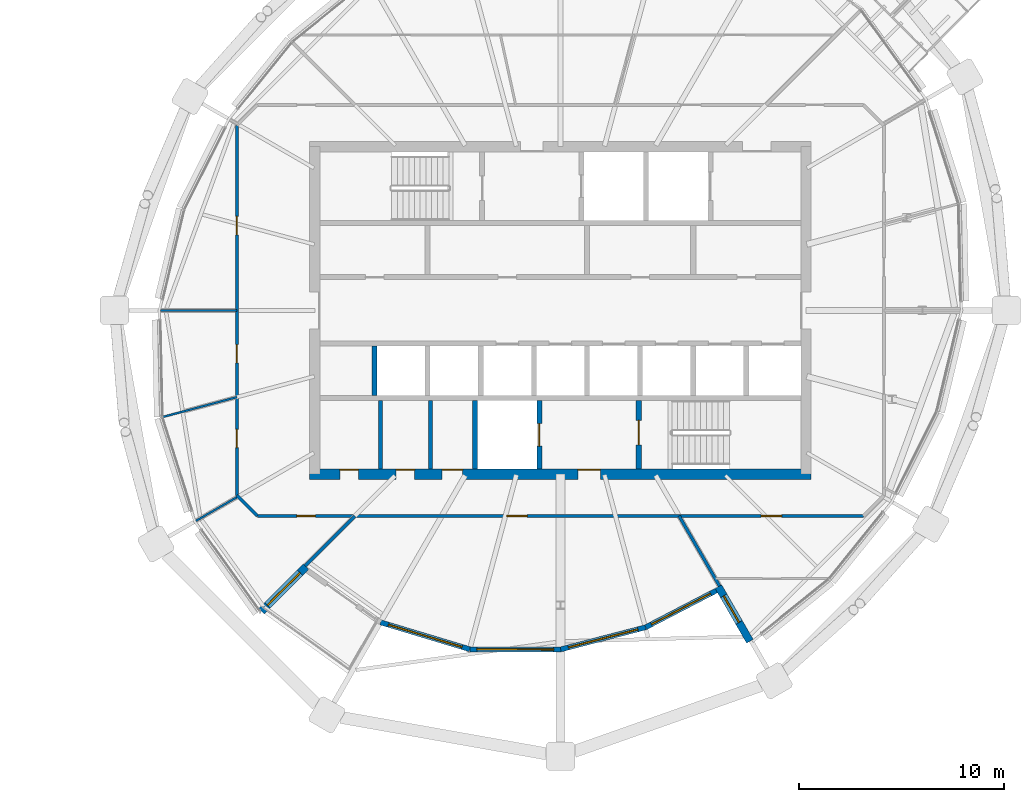
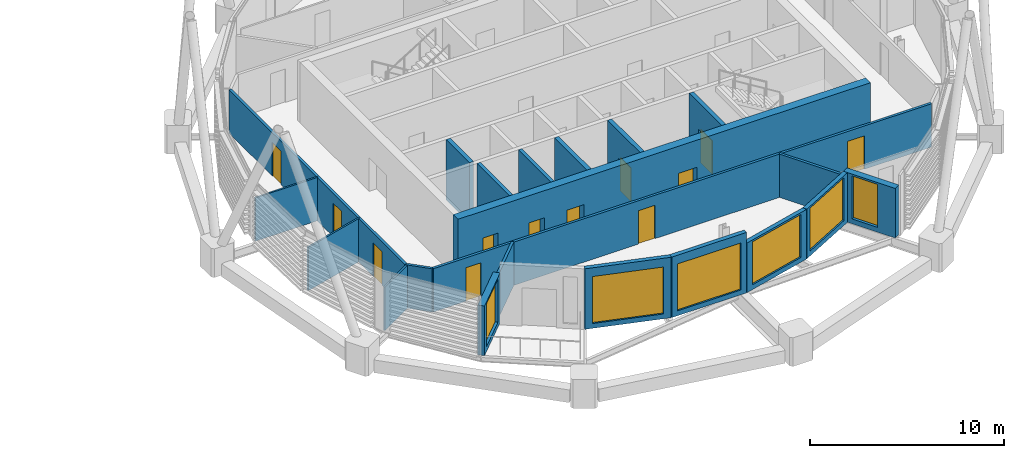
# One storey, part 24 of 34: 21 walls, 12 doors, 6 windows, 18 openings.
"""IFC4 building model written with IfcOpenShell, lengths in metres."""

from ifc_helpers import new_model, si_unit, direction, frame, frame_2d, origin, place, context, subcontext, project, spatial, rectangle, extrude, material, layer, layer_set, type_object, element, fill, save


model = new_model("IFC4")

# Units and contexts
model_context = context("Model", 3, precision=1e-05, world=origin(), true_north=direction((0.0, 1.0)))
body_context = subcontext(model_context, "Body", "Model", "MODEL_VIEW")
ifc_project = project(units=[si_unit("LENGTHUNIT", "METRE"), si_unit("AREAUNIT", "SQUARE_METRE"), si_unit("VOLUMEUNIT", "CUBIC_METRE"), si_unit("PLANEANGLEUNIT", "RADIAN"), si_unit("MASSUNIT", "GRAM", prefix="KILO")], contexts=[model_context])

# Site, building, storey
site_placement = place(None, origin())
site = spatial("IfcSite", under=ifc_project, at=site_placement, CompositionType="ELEMENT")
building_placement = place(site_placement, origin())
building = spatial("IfcBuilding", under=site, at=building_placement, Name="Rimbun Link Towers", CompositionType="ELEMENT")
storey_placement = place(building_placement, frame((0.0, 0.0, 221.89990234375)))
storey = spatial("IfcBuildingStorey", under=building, at=storey_placement, Name="L54", CompositionType="ELEMENT", Elevation=221.89990234375)

# Wall, opening, window
ifc_material_1 = material(Name="Dark enamelled glass spandrel on insulated aluminium backpan", Category="aluminium")
ifc_layer_1 = layer(ifc_material_1, 0.25)
ifc_layer_set_1 = layer_set([ifc_layer_1], Name="CS dark enamelled spandrel wall 250")
wall_type_1 = type_object("IfcWallType", Name="CS dark enamelled spandrel wall 250", PredefinedType="STANDARD", material=ifc_layer_set_1)
wall_1_placement = place(storey_placement, frame((27.328125, -16.558349609375, 0.0), z_axis=(0.0, 0.0, 1.0), x_axis=(-0.957446917434, 0.28860942517, 0.0)))
wall_1 = element("IfcWall", 1, at=wall_1_placement, inside=storey, type_object=wall_type_1, Name="Crease spandrel wall", PredefinedType="STANDARD", context=body_context, shape_type="SweptSolid", body=[
    extrude(rectangle(XDim=4.56201171875, YDim=0.25, at=frame_2d((2.281005859375, 0.0))), origin(), (0.0, 0.0, 1.0), 3.800048828125),
])
opening_1_placement = place(wall_1_placement, frame((0.406005859375, 0.0, 0.300048828125)))
opening_1 = element("IfcOpeningElement", 2, at=opening_1_placement, cuts=wall_1, Name="Opening WR38H295", PredefinedType="OPENING", context=body_context, shape_type="SweptSolid", body=[
    extrude(rectangle(XDim=3.75, YDim=2.949951171875, at=frame_2d((1.875, 1.47509765625))), frame((0.0, 0.135009765625, 0.0), z_axis=(0.0, -1.0, 0.0), x_axis=(1.0, 0.0, 0.0)), (0.0, 0.0, 1.0), 0.27001953125),
])
ifc_material_2 = material(Name="Aluminium framed fixed window, dark tinted low-e glass", Category="aluminium")
window_type_1 = type_object("IfcWindowType", Name="WR ribbon window 3750X2950", PartitioningType="SINGLE_PANEL", PredefinedType="WINDOW", material=ifc_material_2)
window_1_placement = place(opening_1_placement, origin())
window_1 = element("IfcWindow", 3, at=window_1_placement, inside=storey, type_object=window_type_1, Name="Crease ribbon window", OverallHeight=2.949951171875, OverallWidth=3.75, PartitioningType="SINGLE_PANEL", PredefinedType="WINDOW", context=body_context, shape_type="SweptSolid", body=[
    extrude(rectangle(XDim=3.75, YDim=2.949951171875, at=frame_2d((1.875, 1.47509765625))), frame((0.0, 0.030029296875, 0.0), z_axis=(0.0, -1.0, 0.0), x_axis=(1.0, 0.0, 0.0)), (0.0, 0.0, 1.0), 0.06005859375),
])
fill(opening_1, window_1)

wall_2_placement = place(storey_placement, frame((31.765869140625, -16.562255859375, 0.0), z_axis=(0.0, 0.0, 1.0), x_axis=(-0.999999612595, 0.000880232921, 0.0)))
wall_2 = element("IfcWall", 4, at=wall_2_placement, inside=storey, type_object=wall_type_1, Name="Crease spandrel wall", PredefinedType="STANDARD", context=body_context, shape_type="SweptSolid", body=[
    extrude(rectangle(XDim=4.437744140625, YDim=0.25, at=frame_2d((2.21875, 0.0))), origin(), (0.0, 0.0, 1.0), 3.800048828125),
])
opening_2_placement = place(wall_2_placement, frame((0.34375, 0.0, 0.300048828125)))
opening_2 = element("IfcOpeningElement", 5, at=opening_2_placement, cuts=wall_2, Name="Opening WR38H295", PredefinedType="OPENING", context=body_context, shape_type="SweptSolid", body=[
    extrude(rectangle(XDim=3.75, YDim=2.949951171875, at=frame_2d((1.875, 1.47509765625))), frame((0.0, 0.135009765625, 0.0), z_axis=(0.0, -1.0, 0.0), x_axis=(1.0, 0.0, 0.0)), (0.0, 0.0, 1.0), 0.27001953125),
])
window_2_placement = place(opening_2_placement, origin())
window_2 = element("IfcWindow", 6, at=window_2_placement, inside=storey, type_object=window_type_1, Name="Crease ribbon window", OverallHeight=2.949951171875, OverallWidth=3.75, PartitioningType="SINGLE_PANEL", PredefinedType="WINDOW", context=body_context, shape_type="SweptSolid", body=[
    extrude(rectangle(XDim=3.75, YDim=2.949951171875, at=frame_2d((1.875, 1.47509765625))), frame((0.0, 0.030029296875, 0.0), z_axis=(0.0, -1.0, 0.0), x_axis=(1.0, 0.0, 0.0)), (0.0, 0.0, 1.0), 0.06005859375),
])
fill(opening_2, window_2)

wall_3_placement = place(storey_placement, frame((35.91259765625, -15.483642578125, 0.0), z_axis=(0.0, 0.0, 1.0), x_axis=(-0.967796135933, -0.251735256317, 0.0)))
wall_3 = element("IfcWall", 7, at=wall_3_placement, inside=storey, type_object=wall_type_1, Name="Crease spandrel wall", PredefinedType="STANDARD", context=body_context, shape_type="SweptSolid", body=[
    extrude(rectangle(XDim=4.28466796875, YDim=0.25, at=frame_2d((2.142333984375, 0.0))), origin(), (0.0, 0.0, 1.0), 3.1171875),
])
opening_3_placement = place(wall_3_placement, frame((0.392333984375, 0.0, 0.300048828125)))
opening_3 = element("IfcOpeningElement", 8, at=opening_3_placement, cuts=wall_3, Name="Opening WR35H270", PredefinedType="OPENING", context=body_context, shape_type="SweptSolid", body=[
    extrude(rectangle(XDim=3.5, YDim=2.699951171875, at=frame_2d((1.75, 1.35009765625))), frame((0.0, 0.135009765625, 0.0), z_axis=(0.0, -1.0, 0.0), x_axis=(1.0, 0.0, 0.0)), (0.0, 0.0, 1.0), 0.27001953125),
])
ifc_material_3 = material(Name="Aluminium framed fixed window, dark tinted low-e glass", Category="aluminium")
window_type_2 = type_object("IfcWindowType", Name="WR ribbon window 3500X2700", PartitioningType="SINGLE_PANEL", PredefinedType="WINDOW", material=ifc_material_3)
window_3_placement = place(opening_3_placement, origin())
window_3 = element("IfcWindow", 9, at=window_3_placement, inside=storey, type_object=window_type_2, Name="Crease ribbon window", OverallHeight=2.699951171875, OverallWidth=3.5, PartitioningType="SINGLE_PANEL", PredefinedType="WINDOW", context=body_context, shape_type="SweptSolid", body=[
    extrude(rectangle(XDim=3.5, YDim=2.699951171875, at=frame_2d((1.75, 1.35009765625))), frame((0.0, 0.030029296875, 0.0), z_axis=(0.0, -1.0, 0.0), x_axis=(1.0, 0.0, 0.0)), (0.0, 0.0, 1.0), 0.06005859375),
])
fill(opening_3, window_3)

wall_4_placement = place(storey_placement, frame((39.3642578125, -13.688232421875, 0.0), z_axis=(0.0, 0.0, 1.0), x_axis=(-0.887159260346, -0.461463375342, 0.0)))
wall_4 = element("IfcWall", 10, at=wall_4_placement, inside=storey, type_object=wall_type_1, Name="Crease spandrel wall", PredefinedType="STANDARD", context=body_context, shape_type="SweptSolid", body=[
    extrude(rectangle(XDim=3.890625, YDim=0.25, at=frame_2d((1.9453125, 0.0))), origin(), (0.0, 0.0, 1.0), 3.1171875),
])
opening_4_placement = place(wall_4_placement, frame((0.3203125, 0.0, 0.300048828125)))
opening_4 = element("IfcOpeningElement", 11, at=opening_4_placement, cuts=wall_4, Name="Opening WR32H270", PredefinedType="OPENING", context=body_context, shape_type="SweptSolid", body=[
    extrude(rectangle(XDim=3.25, YDim=2.699951171875, at=frame_2d((1.625, 1.35009765625))), frame((0.0, 0.135009765625, 0.0), z_axis=(0.0, -1.0, 0.0), x_axis=(1.0, 0.0, 0.0)), (0.0, 0.0, 1.0), 0.27001953125),
])
ifc_material_4 = material(Name="Aluminium framed fixed window, dark tinted low-e glass", Category="aluminium")
window_type_3 = type_object("IfcWindowType", Name="WR ribbon window 3250X2700", PartitioningType="SINGLE_PANEL", PredefinedType="WINDOW", material=ifc_material_4)
window_4_placement = place(opening_4_placement, origin())
window_4 = element("IfcWindow", 12, at=window_4_placement, inside=storey, type_object=window_type_3, Name="Crease ribbon window", OverallHeight=2.699951171875, OverallWidth=3.25, PartitioningType="SINGLE_PANEL", PredefinedType="WINDOW", context=body_context, shape_type="SweptSolid", body=[
    extrude(rectangle(XDim=3.25, YDim=2.699951171875, at=frame_2d((1.625, 1.35009765625))), frame((0.0, 0.030029296875, 0.0), z_axis=(0.0, -1.0, 0.0), x_axis=(1.0, 0.0, 0.0)), (0.0, 0.0, 1.0), 0.06005859375),
])
fill(opening_4, window_4)

ifc_material_5 = material(Name="Dark enamelled glass spandrel on insulated aluminium backpan", Category="aluminium")
ifc_layer_2 = layer(ifc_material_5, 0.3701171875)
ifc_layer_set_2 = layer_set([ifc_layer_2], Name="CS dark enamelled spandrel wall 370")
wall_type_2 = type_object("IfcWallType", Name="CS dark enamelled spandrel wall 370", PredefinedType="STANDARD", material=ifc_layer_set_2)
wall_5_placement = place(storey_placement, frame((19.320556640625, -12.521240234375, 0.0), z_axis=(0.0, 0.0, 1.0), x_axis=(-0.707067146267, -0.707146413884, 0.0)))
wall_5 = element("IfcWall", 13, at=wall_5_placement, inside=storey, type_object=wall_type_2, Name="Crease spandrel wall", PredefinedType="STANDARD", context=body_context, shape_type="SweptSolid", body=[
    extrude(rectangle(XDim=3.079833984375, YDim=0.3701171875, at=frame_2d((1.5400390625, 0.0))), origin(), (0.0, 0.0, 1.0), 3.1171875),
])
opening_5_placement = place(wall_5_placement, frame((0.4150390625, 0.0, 0.300048828125)))
opening_5 = element("IfcOpeningElement", 14, at=opening_5_placement, cuts=wall_5, Name="Opening WR22H270", PredefinedType="OPENING", context=body_context, shape_type="SweptSolid", body=[
    extrude(rectangle(XDim=2.25, YDim=2.699951171875, at=frame_2d((1.125, 1.35009765625))), frame((0.0, 0.195068359375, 0.0), z_axis=(0.0, -1.0, 0.0), x_axis=(1.0, 0.0, 0.0)), (0.0, 0.0, 1.0), 0.39013671875),
])
ifc_material_6 = material(Name="Aluminium framed fixed window, dark tinted low-e glass", Category="aluminium")
window_type_4 = type_object("IfcWindowType", Name="WR ribbon window 2250X2700", PartitioningType="SINGLE_PANEL", PredefinedType="WINDOW", material=ifc_material_6)
window_5_placement = place(opening_5_placement, origin())
window_5 = element("IfcWindow", 15, at=window_5_placement, inside=storey, type_object=window_type_4, Name="Crease ribbon window", OverallHeight=2.699951171875, OverallWidth=2.25, PartitioningType="SINGLE_PANEL", PredefinedType="WINDOW", context=body_context, shape_type="SweptSolid", body=[
    extrude(rectangle(XDim=2.25, YDim=2.699951171875, at=frame_2d((1.125, 1.35009765625))), frame((0.0, 0.030029296875, 0.0), z_axis=(0.0, -1.0, 0.0), x_axis=(1.0, 0.0, 0.0)), (0.0, 0.0, 1.0), 0.06005859375),
])
fill(opening_5, window_5)

wall_6_placement = place(storey_placement, frame((41.00732421875, -16.164306640625, 0.0), z_axis=(0.0, 0.0, 1.0), x_axis=(-0.499932877268, 0.866064153644, 0.0)))
wall_6 = element("IfcWall", 16, at=wall_6_placement, inside=storey, type_object=wall_type_2, Name="Crease spandrel wall", PredefinedType="STANDARD", context=body_context, shape_type="SweptSolid", body=[
    extrude(rectangle(XDim=3.080078125, YDim=0.3701171875, at=frame_2d((1.5400390625, 0.0))), origin(), (0.0, 0.0, 1.0), 3.1171875),
])
opening_6_placement = place(wall_6_placement, frame((1.062255859375, 0.0, 0.300048828125)))
opening_6 = element("IfcOpeningElement", 17, at=opening_6_placement, cuts=wall_6, Name="Opening WR15H270", PredefinedType="OPENING", context=body_context, shape_type="SweptSolid", body=[
    extrude(rectangle(XDim=1.5, YDim=2.699951171875, at=frame_2d((0.75, 1.35009765625))), frame((0.0, 0.195068359375, 0.0), z_axis=(0.0, -1.0, 0.0), x_axis=(1.0, 0.0, 0.0)), (0.0, 0.0, 1.0), 0.39013671875),
])
ifc_material_7 = material(Name="Aluminium framed fixed window, dark tinted low-e glass", Category="aluminium")
window_type_5 = type_object("IfcWindowType", Name="WR ribbon window 1500X2700", PartitioningType="SINGLE_PANEL", PredefinedType="WINDOW", material=ifc_material_7)
window_6_placement = place(opening_6_placement, origin())
window_6 = element("IfcWindow", 18, at=window_6_placement, inside=storey, type_object=window_type_5, Name="Crease ribbon window", OverallHeight=2.699951171875, OverallWidth=1.5, PartitioningType="SINGLE_PANEL", PredefinedType="WINDOW", context=body_context, shape_type="SweptSolid", body=[
    extrude(rectangle(XDim=1.5, YDim=2.699951171875, at=frame_2d((0.75, 1.35009765625))), frame((0.0, 0.030029296875, 0.0), z_axis=(0.0, -1.0, 0.0), x_axis=(1.0, 0.0, 0.0)), (0.0, 0.0, 1.0), 0.06005859375),
])
fill(opening_6, window_6)

# Walls
ifc_material_8 = material(Name="Masonry blockwork", Category="masonry")
ifc_layer_3 = layer(ifc_material_8, 0.199951171875)
ifc_layer_set_3 = layer_set([ifc_layer_3], Name="Core partition 200")
wall_type_3 = type_object("IfcWallType", Name="Core partition 200", PredefinedType="PARTITIONING", material=ifc_layer_set_3)
for number, where, z_axis, x_axis, name in (
    (19, (22.949951171875, -4.39990234375, 0.0), (0.0, 0.0, 1.0), (0.0, -1.0, 0.0), "L54 T2 core wall C1"),
    (20, (25.39990234375, -4.39990234375, 0.0), (0.0, 0.0, 1.0), (0.0, -1.0, 0.0), "L54 T2 core wall C2"),
):
    element("IfcWall", number, at=place(storey_placement, frame(where, z_axis=z_axis, x_axis=x_axis)), inside=storey, type_object=wall_type_3, Name=name, PredefinedType="PARTITIONING", context=body_context, shape_type="SweptSolid", body=[
        extrude(rectangle(XDim=3.35009765625, YDim=0.199951171875, at=frame_2d((1.675048828125, 0.0))), origin(), (0.0, 0.0, 1.0), 3.800048828125),
    ])

# Wall, openings, doors
ifc_material_9 = material(Name="Concrete C60/75", Category="concrete")
ifc_layer_4 = layer(ifc_material_9, 0.5)
ifc_layer_set_4 = layer_set([ifc_layer_4], Name="Core shear wall 500")
wall_type_4 = type_object("IfcWallType", Name="Core shear wall 500", PredefinedType="SHEAR", material=ifc_layer_set_4)
wall_7_placement = place(storey_placement, frame((19.5, -8.0, 0.0), z_axis=(0.0, 0.0, 1.0), x_axis=(1.0, 0.0, 0.0)))
wall_7 = element("IfcWall", 21, at=wall_7_placement, inside=storey, type_object=wall_type_4, Name="L54 T2 core wall S", PredefinedType="SHEAR", context=body_context, shape_type="SweptSolid", body=[
    extrude(rectangle(XDim=24.5, YDim=0.5, at=frame_2d((12.25, 0.0))), origin(), (0.0, 0.0, 1.0), 3.800048828125),
])
opening_7_placement = place(wall_7_placement, frame((13.10009765625, 0.0, 0.0)))
opening_7 = element("IfcOpeningElement", 22, at=opening_7_placement, cuts=wall_7, Name="Opening C2DCF01S", PredefinedType="OPENING", context=body_context, shape_type="SweptSolid", body=[
    extrude(rectangle(XDim=1.10009765625, YDim=2.10009765625, at=frame_2d((0.550048828125, 1.050048828125))), frame((0.0, 0.260009765625, 0.0), z_axis=(0.0, -1.0, 0.0), x_axis=(1.0, 0.0, 0.0)), (0.0, 0.0, 1.0), 0.52001953125),
])
opening_8_placement = place(wall_7_placement, frame((1.47509765625, 0.0, 0.0)))
opening_8 = element("IfcOpeningElement", 23, at=opening_8_placement, cuts=wall_7, Name="Opening C2DWC02S", PredefinedType="OPENING", context=body_context, shape_type="SweptSolid", body=[
    extrude(rectangle(XDim=0.89990234375, YDim=2.10009765625, at=frame_2d((0.449951171875, 1.050048828125))), frame((0.0, 0.260009765625, 0.0), z_axis=(0.0, -1.0, 0.0), x_axis=(1.0, 0.0, 0.0)), (0.0, 0.0, 1.0), 0.52001953125),
])
opening_9_placement = place(wall_7_placement, frame((4.22509765625, 0.0, 0.0)))
opening_9 = element("IfcOpeningElement", 24, at=opening_9_placement, cuts=wall_7, Name="Opening C2DWC03S", PredefinedType="OPENING", context=body_context, shape_type="SweptSolid", body=[
    extrude(rectangle(XDim=0.89990234375, YDim=2.10009765625, at=frame_2d((0.449951171875, 1.050048828125))), frame((0.0, 0.260009765625, 0.0), z_axis=(0.0, -1.0, 0.0), x_axis=(1.0, 0.0, 0.0)), (0.0, 0.0, 1.0), 0.52001953125),
])
opening_10_placement = place(wall_7_placement, frame((6.47509765625, 0.0, 0.0)))
opening_10 = element("IfcOpeningElement", 25, at=opening_10_placement, cuts=wall_7, Name="Opening C2DAW04S", PredefinedType="OPENING", context=body_context, shape_type="SweptSolid", body=[
    extrude(rectangle(XDim=1.0, YDim=2.10009765625, at=frame_2d((0.5, 1.050048828125))), frame((0.0, 0.260009765625, 0.0), z_axis=(0.0, -1.0, 0.0), x_axis=(1.0, 0.0, 0.0)), (0.0, 0.0, 1.0), 0.52001953125),
])
ifc_material_10 = material(Name="Timber", Category="wood")
door_type_1 = type_object("IfcDoorType", Name="Accessible WC door", OperationType="SINGLE_SWING_LEFT", PredefinedType="DOOR", material=ifc_material_10)
door_1_placement = place(opening_10_placement, origin())
door_1 = element("IfcDoor", 26, at=door_1_placement, inside=storey, type_object=door_type_1, Name="L54 T2 accessible wc door", OperationType="SINGLE_SWING_RIGHT", OverallHeight=2.10009765625, OverallWidth=1.0, PredefinedType="DOOR", context=body_context, shape_type="SweptSolid", body=[
    extrude(rectangle(XDim=1.0, YDim=2.10009765625, at=frame_2d((0.5, 1.050048828125))), frame((0.0, 0.25, 0.0), z_axis=(0.0, -1.0, 0.0), x_axis=(1.0, 0.0, 0.0)), (0.0, 0.0, 1.0), 0.050048828125),
])
fill(opening_10, door_1)
ifc_material_11 = material(Name="Steel fire door set", Category="steel")
door_type_2 = type_object("IfcDoorType", Name="Core fire door single", OperationType="SINGLE_SWING_LEFT", PredefinedType="DOOR", material=ifc_material_11)
door_2_placement = place(opening_7_placement, origin())
door_2 = element("IfcDoor", 27, at=door_2_placement, inside=storey, type_object=door_type_2, Name="L54 T2 firefighting lobby s door", OperationType="SINGLE_SWING_RIGHT", OverallHeight=2.10009765625, OverallWidth=1.10009765625, PredefinedType="DOOR", context=body_context, shape_type="SweptSolid", body=[
    extrude(rectangle(XDim=1.10009765625, YDim=2.10009765625, at=frame_2d((0.550048828125, 1.050048828125))), frame((0.0, 0.25, 0.0), z_axis=(0.0, -1.0, 0.0), x_axis=(1.0, 0.0, 0.0)), (0.0, 0.0, 1.0), 0.050048828125),
])
fill(opening_7, door_2)
ifc_material_12 = material(Name="Timber", Category="wood")
door_type_3 = type_object("IfcDoorType", Name="WC door", OperationType="SINGLE_SWING_LEFT", PredefinedType="DOOR", material=ifc_material_12)
door_3_placement = place(opening_8_placement, origin())
door_3 = element("IfcDoor", 28, at=door_3_placement, inside=storey, type_object=door_type_3, Name="L54 T2 male wc door", OperationType="SINGLE_SWING_LEFT", OverallHeight=2.10009765625, OverallWidth=0.89990234375, PredefinedType="DOOR", context=body_context, shape_type="SweptSolid", body=[
    extrude(rectangle(XDim=0.89990234375, YDim=2.10009765625, at=frame_2d((0.449951171875, 1.050048828125))), frame((0.0, 0.25, 0.0), z_axis=(0.0, -1.0, 0.0), x_axis=(1.0, 0.0, 0.0)), (0.0, 0.0, 1.0), 0.050048828125),
])
fill(opening_8, door_3)
door_4_placement = place(opening_9_placement, origin())
door_4 = element("IfcDoor", 29, at=door_4_placement, inside=storey, type_object=door_type_3, Name="L54 T2 female wc door", OperationType="SINGLE_SWING_RIGHT", OverallHeight=2.10009765625, OverallWidth=0.89990234375, PredefinedType="DOOR", context=body_context, shape_type="SweptSolid", body=[
    extrude(rectangle(XDim=0.89990234375, YDim=2.10009765625, at=frame_2d((0.449951171875, 1.050048828125))), frame((0.0, 0.25, 0.0), z_axis=(0.0, -1.0, 0.0), x_axis=(1.0, 0.0, 0.0)), (0.0, 0.0, 1.0), 0.050048828125),
])
fill(opening_9, door_4)

ifc_material_13 = material(Name="Plasterboard on steel stud, mineral wool", Category="steel")
ifc_layer_5 = layer(ifc_material_13, 0.14990234375)
ifc_layer_set_5 = layer_set([ifc_layer_5], Name="Corridor wall EI 30 150 mm")
wall_type_5 = type_object("IfcWallType", Name="Corridor wall EI 30 150 mm", PredefinedType="PARTITIONING", material=ifc_layer_set_5)
wall_8_placement = place(storey_placement, frame((46.5537109375, -10.044921875, 0.0), z_axis=(0.0, 0.0, 1.0), x_axis=(-1.0, 0.0, 0.0)))
wall_8 = element("IfcWall", 30, at=wall_8_placement, inside=storey, type_object=wall_type_5, Name="Corridor wall EI 30 150 mm", PredefinedType="PARTITIONING", context=body_context, shape_type="SweptSolid", body=[
    extrude(rectangle(XDim=29.607421875, YDim=0.14990234375, at=frame_2d((14.8037109375, 0.0))), origin(), (0.0, 0.0, 1.0), 2.72216796875),
])
opening_11_placement = place(wall_8_placement, frame((4.002197265625, 0.0, 0.0)))
opening_11 = element("IfcOpeningElement", 31, at=opening_11_placement, cuts=wall_8, Name="Opening D01", PredefinedType="OPENING", context=body_context, shape_type="SweptSolid", body=[
    extrude(rectangle(XDim=1.0, YDim=2.10009765625, at=frame_2d((0.5, 1.050048828125))), frame((0.0, 0.0849609375, 0.0), z_axis=(0.0, -1.0, 0.0), x_axis=(1.0, 0.0, 0.0)), (0.0, 0.0, 1.0), 0.169921875),
])
opening_12_placement = place(wall_8_placement, frame((26.778076171875, 0.0, 0.0)))
opening_12 = element("IfcOpeningElement", 32, at=opening_12_placement, cuts=wall_8, Name="Opening D02", PredefinedType="OPENING", context=body_context, shape_type="SweptSolid", body=[
    extrude(rectangle(XDim=0.89990234375, YDim=2.10009765625, at=frame_2d((0.449951171875, 1.050048828125))), frame((0.0, 0.0849609375, 0.0), z_axis=(0.0, -1.0, 0.0), x_axis=(1.0, 0.0, 0.0)), (0.0, 0.0, 1.0), 0.169921875),
])
opening_13_placement = place(wall_8_placement, frame((16.426513671875, 0.0, 0.0)))
opening_13 = element("IfcOpeningElement", 33, at=opening_13_placement, cuts=wall_8, Name="Opening D01", PredefinedType="OPENING", context=body_context, shape_type="SweptSolid", body=[
    extrude(rectangle(XDim=1.0, YDim=2.10009765625, at=frame_2d((0.5, 1.050048828125))), frame((0.0, 0.0849609375, 0.0), z_axis=(0.0, -1.0, 0.0), x_axis=(1.0, 0.0, 0.0)), (0.0, 0.0, 1.0), 0.169921875),
])
ifc_material_14 = material(Name="Fire-resisting timber door leaf", Category="wood")
door_type_4 = type_object("IfcDoorType", Name="Fire door FD30S 1000", OperationType="NOTDEFINED", PredefinedType="DOOR", material=ifc_material_14)
door_5_placement = place(opening_11_placement, origin())
door_5 = element("IfcDoor", 34, at=door_5_placement, inside=storey, type_object=door_type_4, Name="Fire door FD30S 1000 to Reception", OperationType="SINGLE_SWING_LEFT", OverallHeight=2.10009765625, OverallWidth=1.0, PredefinedType="DOOR", context=body_context, shape_type="SweptSolid", body=[
    extrude(rectangle(XDim=1.0, YDim=2.10009765625, at=frame_2d((0.5, 1.050048828125))), frame((0.0, 0.02490234375, 0.0), z_axis=(0.0, -1.0, 0.0), x_axis=(1.0, 0.0, 0.0)), (0.0, 0.0, 1.0), 0.050048828125),
])
fill(opening_11, door_5)
door_6_placement = place(opening_13_placement, origin())
door_6 = element("IfcDoor", 35, at=door_6_placement, inside=storey, type_object=door_type_4, Name="Fire door FD30S 1000 to Terrace office", OperationType="SINGLE_SWING_LEFT", OverallHeight=2.10009765625, OverallWidth=1.0, PredefinedType="DOOR", context=body_context, shape_type="SweptSolid", body=[
    extrude(rectangle(XDim=1.0, YDim=2.10009765625, at=frame_2d((0.5, 1.050048828125))), frame((0.0, 0.02490234375, 0.0), z_axis=(0.0, -1.0, 0.0), x_axis=(1.0, 0.0, 0.0)), (0.0, 0.0, 1.0), 0.050048828125),
])
fill(opening_13, door_6)
ifc_material_15 = material(Name="Fire-resisting timber door leaf", Category="wood")
door_type_5 = type_object("IfcDoorType", Name="Fire door FD30S 900", OperationType="NOTDEFINED", PredefinedType="DOOR", material=ifc_material_15)
door_7_placement = place(opening_12_placement, origin())
door_7 = element("IfcDoor", 36, at=door_7_placement, inside=storey, type_object=door_type_5, Name="Fire door FD30S 900 to Meeting room", OperationType="SINGLE_SWING_RIGHT", OverallHeight=2.10009765625, OverallWidth=0.89990234375, PredefinedType="DOOR", context=body_context, shape_type="SweptSolid", body=[
    extrude(rectangle(XDim=0.89990234375, YDim=2.10009765625, at=frame_2d((0.449951171875, 1.050048828125))), frame((0.0, 0.02490234375, 0.0), z_axis=(0.0, -1.0, 0.0), x_axis=(1.0, 0.0, 0.0)), (0.0, 0.0, 1.0), 0.050048828125),
])
fill(opening_12, door_7)

# Wall
wall_9_placement = place(storey_placement, frame((15.945068359375, -9.043701171875, 0.0), z_axis=(0.0, 0.0, 1.0), x_axis=(0.707106781187, -0.707106781187, 0.0)))
element("IfcWall", 37, at=wall_9_placement, inside=storey, type_object=wall_type_5, Name="Corridor wall EI 30 150 mm", PredefinedType="PARTITIONING", context=body_context, shape_type="SweptSolid", body=[
    extrude(rectangle(XDim=1.416015625, YDim=0.14990234375, at=frame_2d((0.7080078125, 0.0))), origin(), (0.0, 0.0, 1.0), 2.72216796875),
])

# Wall, openings, doors
wall_10_placement = place(storey_placement, frame((15.945068359375, -9.043701171875, 0.0), z_axis=(0.0, 0.0, 1.0), x_axis=(0.0, 1.0, 0.0)))
wall_10 = element("IfcWall", 38, at=wall_10_placement, inside=storey, type_object=wall_type_5, Name="Corridor wall EI 30 150 mm", PredefinedType="PARTITIONING", context=body_context, shape_type="SweptSolid", body=[
    extrude(rectangle(XDim=18.08740234375, YDim=0.14990234375, at=frame_2d((9.043701171875, 0.0))), origin(), (0.0, 0.0, 1.0), 2.72216796875),
])
opening_14_placement = place(wall_10_placement, frame((12.733642578125, 0.0, 0.0)))
opening_14 = element("IfcOpeningElement", 39, at=opening_14_placement, cuts=wall_10, Name="Opening D02", PredefinedType="OPENING", context=body_context, shape_type="SweptSolid", body=[
    extrude(rectangle(XDim=0.89990234375, YDim=2.10009765625, at=frame_2d((0.449951171875, 1.050048828125))), frame((0.0, 0.0849609375, 0.0), z_axis=(0.0, -1.0, 0.0), x_axis=(1.0, 0.0, 0.0)), (0.0, 0.0, 1.0), 0.169921875),
])
opening_15_placement = place(wall_10_placement, frame((6.476318359375, 0.0, 0.0)))
opening_15 = element("IfcOpeningElement", 40, at=opening_15_placement, cuts=wall_10, Name="Opening D02", PredefinedType="OPENING", context=body_context, shape_type="SweptSolid", body=[
    extrude(rectangle(XDim=0.89990234375, YDim=2.10009765625, at=frame_2d((0.449951171875, 1.050048828125))), frame((0.0, 0.0849609375, 0.0), z_axis=(0.0, -1.0, 0.0), x_axis=(1.0, 0.0, 0.0)), (0.0, 0.0, 1.0), 0.169921875),
])
opening_16_placement = place(wall_10_placement, frame((2.336181640625, 0.0, 0.0)))
opening_16 = element("IfcOpeningElement", 41, at=opening_16_placement, cuts=wall_10, Name="Opening D02", PredefinedType="OPENING", context=body_context, shape_type="SweptSolid", body=[
    extrude(rectangle(XDim=0.89990234375, YDim=2.10009765625, at=frame_2d((0.449951171875, 1.050048828125))), frame((0.0, 0.0849609375, 0.0), z_axis=(0.0, -1.0, 0.0), x_axis=(1.0, 0.0, 0.0)), (0.0, 0.0, 1.0), 0.169921875),
])
door_8_placement = place(opening_14_placement, origin())
door_8 = element("IfcDoor", 42, at=door_8_placement, inside=storey, type_object=door_type_5, Name="Fire door FD30S 900 to Executive office", OperationType="SINGLE_SWING_LEFT", OverallHeight=2.10009765625, OverallWidth=0.89990234375, PredefinedType="DOOR", context=body_context, shape_type="SweptSolid", body=[
    extrude(rectangle(XDim=0.89990234375, YDim=2.10009765625, at=frame_2d((0.449951171875, 1.050048828125))), frame((0.0, 0.02490234375, 0.0), z_axis=(0.0, -1.0, 0.0), x_axis=(1.0, 0.0, 0.0)), (0.0, 0.0, 1.0), 0.050048828125),
])
fill(opening_14, door_8)
door_9_placement = place(opening_15_placement, origin())
door_9 = element("IfcDoor", 43, at=door_9_placement, inside=storey, type_object=door_type_5, Name="Fire door FD30S 900 to Open office", OperationType="SINGLE_SWING_RIGHT", OverallHeight=2.10009765625, OverallWidth=0.89990234375, PredefinedType="DOOR", context=body_context, shape_type="SweptSolid", body=[
    extrude(rectangle(XDim=0.89990234375, YDim=2.10009765625, at=frame_2d((0.449951171875, 1.050048828125))), frame((0.0, 0.02490234375, 0.0), z_axis=(0.0, -1.0, 0.0), x_axis=(1.0, 0.0, 0.0)), (0.0, 0.0, 1.0), 0.050048828125),
])
fill(opening_15, door_9)
door_10_placement = place(opening_16_placement, origin())
door_10 = element("IfcDoor", 44, at=door_10_placement, inside=storey, type_object=door_type_5, Name="Fire door FD30S 900 to Boardroom", OperationType="SINGLE_SWING_LEFT", OverallHeight=2.10009765625, OverallWidth=0.89990234375, PredefinedType="DOOR", context=body_context, shape_type="SweptSolid", body=[
    extrude(rectangle(XDim=0.89990234375, YDim=2.10009765625, at=frame_2d((0.449951171875, 1.050048828125))), frame((0.0, 0.02490234375, 0.0), z_axis=(0.0, -1.0, 0.0), x_axis=(1.0, 0.0, 0.0)), (0.0, 0.0, 1.0), 0.050048828125),
])
fill(opening_16, door_10)

# Walls
ifc_material_16 = material(Name="Plasterboard on steel stud", Category="steel")
ifc_layer_6 = layer(ifc_material_16, 0.10009765625)
ifc_layer_set_6 = layer_set([ifc_layer_6], Name="Plasterboard partition 100 mm")
wall_type_6 = type_object("IfcWallType", Name="Plasterboard partition 100 mm", PredefinedType="PARTITIONING", material=ifc_layer_set_6)
wall_11_placement = place(storey_placement, frame((12.212646484375, 0.0, 0.0), z_axis=(0.0, 0.0, 1.0), x_axis=(1.0, 0.0, 0.0)))
element("IfcWall", 45, at=wall_11_placement, inside=storey, type_object=wall_type_6, Name="Plasterboard partition 100 mm", PredefinedType="PARTITIONING", context=body_context, shape_type="SweptSolid", body=[
    extrude(rectangle(XDim=3.732421875, YDim=0.10009765625, at=frame_2d((1.8662109375, 0.0))), origin(), (0.0, 0.0, 1.0), 2.72216796875),
])
wall_12_placement = place(storey_placement, frame((12.322509765625, -5.20556640625, 0.0), z_axis=(0.0, 0.0, 1.0), x_axis=(0.965923061481, 0.258829363287, 0.0)))
element("IfcWall", 46, at=wall_12_placement, inside=storey, type_object=wall_type_6, Name="Plasterboard partition 100 mm", PredefinedType="PARTITIONING", context=body_context, shape_type="SweptSolid", body=[
    extrude(rectangle(XDim=3.750244140625, YDim=0.10009765625, at=frame_2d((1.875, 0.0))), origin(), (0.0, 0.0, 1.0), 2.72216796875),
])
wall_13_placement = place(storey_placement, frame((13.9375, -10.2841796875, 0.0), z_axis=(0.0, 0.0, 1.0), x_axis=(0.865997488215, 0.500048348068, 0.0)))
element("IfcWall", 47, at=wall_13_placement, inside=storey, type_object=wall_type_6, Name="Plasterboard partition 100 mm", PredefinedType="PARTITIONING", context=body_context, shape_type="SweptSolid", body=[
    extrude(rectangle(XDim=2.377685546875, YDim=0.10009765625, at=frame_2d((1.18896484375, 0.0))), origin(), (0.0, 0.0, 1.0), 2.72216796875),
])
ifc_material_17 = material(Name="Concrete C60/75", Category="concrete")
ifc_layer_7 = layer(ifc_material_17, 0.25)
ifc_layer_set_7 = layer_set([ifc_layer_7], Name="Shaft wall 250")
wall_type_7 = type_object("IfcWallType", Name="Shaft wall 250", PredefinedType="SHEAR", material=ifc_layer_set_7)
wall_14_placement = place(storey_placement, frame((22.66943359375, -4.14990234375, 0.0), z_axis=(0.0, 0.0, 1.0), x_axis=(0.0, 1.0, 0.0)))
element("IfcWall", 48, at=wall_14_placement, inside=storey, type_object=wall_type_7, Name="L54 T2 core wall DS0", PredefinedType="SHEAR", context=body_context, shape_type="SweptSolid", body=[
    extrude(rectangle(XDim=2.39990234375, YDim=0.25, at=frame_2d((1.199951171875, 0.0))), origin(), (0.0, 0.0, 1.0), 3.800048828125),
])

# Wall, opening, door
wall_15_placement = place(storey_placement, frame((35.574951171875, -4.39990234375, 0.0), z_axis=(0.0, 0.0, 1.0), x_axis=(0.0, -1.0, 0.0)))
wall_15 = element("IfcWall", 49, at=wall_15_placement, inside=storey, type_object=wall_type_7, Name="L54 T2 core wall B1", PredefinedType="SHEAR", context=body_context, shape_type="SweptSolid", body=[
    extrude(rectangle(XDim=3.35009765625, YDim=0.25, at=frame_2d((1.675048828125, 0.0))), origin(), (0.0, 0.0, 1.0), 3.800048828125),
])
opening_17_placement = place(wall_15_placement, frame((0.97509765625, 0.0, 0.0)))
opening_17 = element("IfcOpeningElement", 50, at=opening_17_placement, cuts=wall_15, Name="Opening C2DST01B1", PredefinedType="OPENING", context=body_context, shape_type="SweptSolid", body=[
    extrude(rectangle(XDim=1.199951171875, YDim=2.10009765625, at=frame_2d((0.60009765625, 1.050048828125))), frame((0.0, 0.135009765625, 0.0), z_axis=(0.0, -1.0, 0.0), x_axis=(1.0, 0.0, 0.0)), (0.0, 0.0, 1.0), 0.27001953125),
])
ifc_material_18 = material(Name="Steel fire door set", Category="steel")
door_type_6 = type_object("IfcDoorType", Name="Stair door", OperationType="SINGLE_SWING_LEFT", PredefinedType="DOOR", material=ifc_material_18)
door_11_placement = place(opening_17_placement, origin())
door_11 = element("IfcDoor", 51, at=door_11_placement, inside=storey, type_object=door_type_6, Name="L54 T2 stair b door", OperationType="SINGLE_SWING_RIGHT", OverallHeight=2.10009765625, OverallWidth=1.199951171875, PredefinedType="DOOR", context=body_context, shape_type="SweptSolid", body=[
    extrude(rectangle(XDim=1.199951171875, YDim=2.10009765625, at=frame_2d((0.60009765625, 1.050048828125))), frame((0.0, 0.02490234375, 0.0), z_axis=(0.0, -1.0, 0.0), x_axis=(1.0, 0.0, 0.0)), (0.0, 0.0, 1.0), 0.050048828125),
])
fill(opening_17, door_11)

wall_16_placement = place(storey_placement, frame((30.72509765625, -4.39990234375, 0.0), z_axis=(0.0, 0.0, 1.0), x_axis=(0.0, -1.0, 0.0)))
wall_16 = element("IfcWall", 52, at=wall_16_placement, inside=storey, type_object=wall_type_7, Name="L54 T2 core wall B2", PredefinedType="SHEAR", context=body_context, shape_type="SweptSolid", body=[
    extrude(rectangle(XDim=3.35009765625, YDim=0.25, at=frame_2d((1.675048828125, 0.0))), origin(), (0.0, 0.0, 1.0), 3.800048828125),
])
opening_18_placement = place(wall_16_placement, frame((1.125, 0.0, 0.0)))
opening_18 = element("IfcOpeningElement", 53, at=opening_18_placement, cuts=wall_16, Name="Opening LD-T2-FF2", PredefinedType="OPENING", context=body_context, shape_type="SweptSolid", body=[
    extrude(rectangle(XDim=1.10009765625, YDim=2.10009765625, at=frame_2d((0.550048828125, 1.050048828125))), frame((0.0, 0.135009765625, 0.0), z_axis=(0.0, -1.0, 0.0), x_axis=(1.0, 0.0, 0.0)), (0.0, 0.0, 1.0), 0.27001953125),
])
ifc_material_19 = material(Name="Stainless steel grade 316", Category="steel")
door_type_7 = type_object("IfcDoorType", Name="Lift landing door", OperationType="DOUBLE_DOOR_SLIDING", PredefinedType="DOOR", material=ifc_material_19)
door_12_placement = place(opening_18_placement, origin())
door_12 = element("IfcDoor", 54, at=door_12_placement, inside=storey, type_object=door_type_7, Name="L54 T2 lift FF2 landing door", OperationType="DOUBLE_DOOR_SLIDING", OverallHeight=2.10009765625, OverallWidth=1.10009765625, PredefinedType="DOOR", context=body_context, shape_type="SweptSolid", body=[
    extrude(rectangle(XDim=1.10009765625, YDim=2.10009765625, at=frame_2d((0.550048828125, 1.050048828125))), frame((0.0, 0.02490234375, 0.0), z_axis=(0.0, -1.0, 0.0), x_axis=(1.0, 0.0, 0.0)), (0.0, 0.0, 1.0), 0.050048828125),
])
fill(opening_18, door_12)

# Walls
wall_17_placement = place(storey_placement, frame((27.574951171875, -4.39990234375, 0.0), z_axis=(0.0, 0.0, 1.0), x_axis=(0.0, -1.0, 0.0)))
element("IfcWall", 55, at=wall_17_placement, inside=storey, type_object=wall_type_7, Name="L54 T2 core wall B3", PredefinedType="SHEAR", context=body_context, shape_type="SweptSolid", body=[
    extrude(rectangle(XDim=3.35009765625, YDim=0.25, at=frame_2d((1.675048828125, 0.0))), origin(), (0.0, 0.0, 1.0), 3.800048828125),
])
ifc_material_20 = material(Name="Plasterboard on steel stud, mineral wool", Category="steel")
ifc_layer_8 = layer(ifc_material_20, 0.14990234375)
ifc_layer_set_8 = layer_set([ifc_layer_8], Name="Tenancy separation wall EI 60 150 mm")
wall_type_8 = type_object("IfcWallType", Name="Tenancy separation wall EI 60 150 mm", PredefinedType="PARTITIONING", material=ifc_layer_set_8)
wall_18_placement = place(storey_placement, frame((21.705078125, -10.044921875, 0.0), z_axis=(0.0, 0.0, 1.0), x_axis=(-0.707106781187, -0.707106781187, 0.0)))
element("IfcWall", 56, at=wall_18_placement, inside=storey, type_object=wall_type_8, Name="Tenancy separation wall EI 60 150 mm", PredefinedType="PARTITIONING", context=body_context, shape_type="SweptSolid", body=[
    extrude(rectangle(XDim=3.43701171875, YDim=0.14990234375, at=frame_2d((1.718505859375, 0.0))), origin(), (0.0, 0.0, 1.0), 2.72216796875),
])
wall_19_placement = place(storey_placement, frame((37.549560546875, -10.044921875, 0.0), z_axis=(0.0, 0.0, 1.0), x_axis=(0.499982939967, -0.866035253175, 0.0)))
element("IfcWall", 57, at=wall_19_placement, inside=storey, type_object=wall_type_8, Name="Tenancy separation wall EI 60 150 mm", PredefinedType="PARTITIONING", context=body_context, shape_type="SweptSolid", body=[
    extrude(rectangle(XDim=3.948486328125, YDim=0.14990234375, at=frame_2d((1.97412109375, 0.0))), origin(), (0.0, 0.0, 1.0), 2.72216796875),
])

save(model, "model.ifc")
